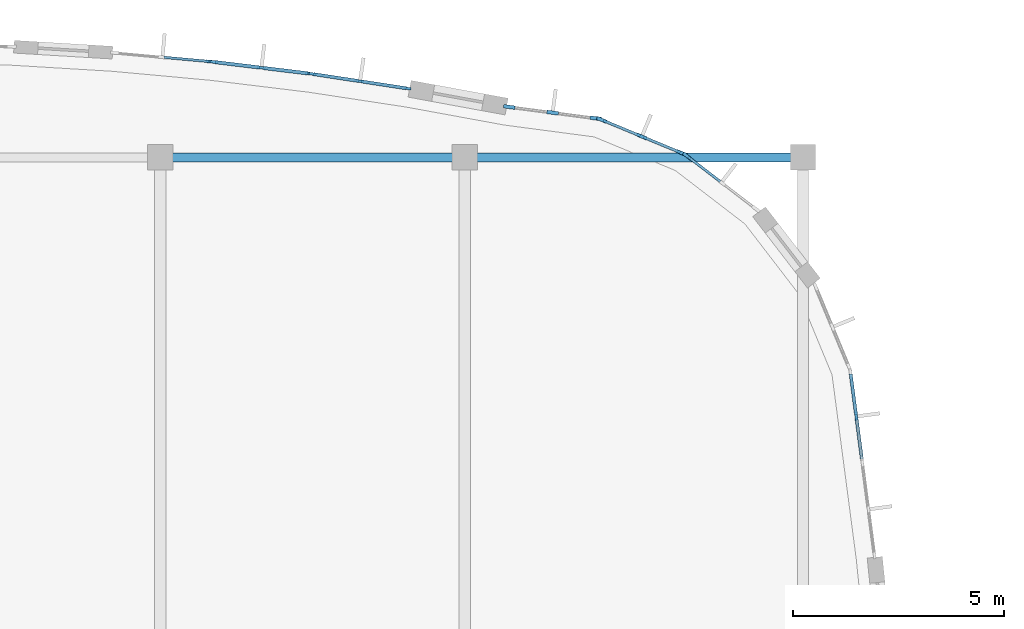
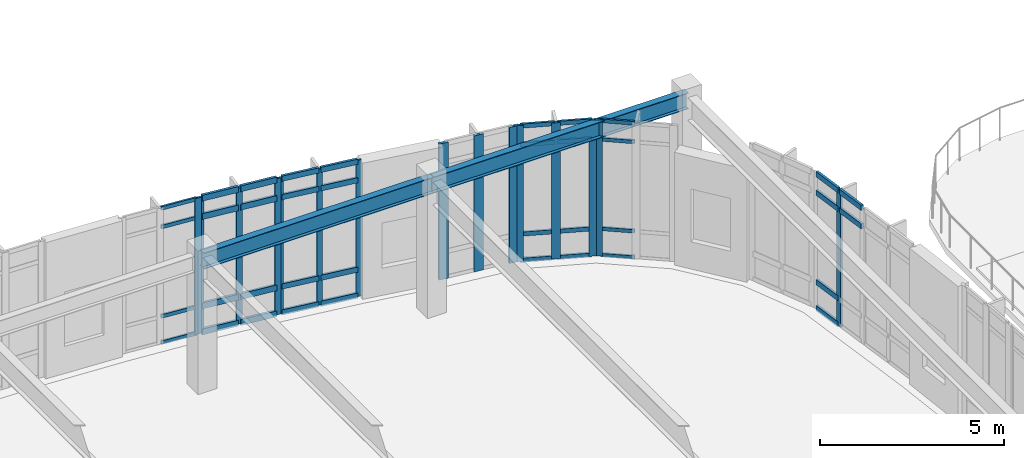
# One storey, part 49 of 120: 53 members, 2 beams, 7 elements without a shape of their own.
"""IFC4 building model written with IfcOpenShell, lengths in metres."""

from ifc_helpers import new_model, si_unit, direction, frame, origin, origin_2d, place, context, subcontext, project, spatial, rectangle, i_section, extrude, material, material_profile, profile_set, type_object, element, aggregate, save


model = new_model("IFC4")

# Units and contexts
model_context = context("Model", 3, precision=1e-05, world=origin(), true_north=direction((0.0, 1.0)))
body_context = subcontext(model_context, "Body", "Model", "MODEL_VIEW")
ifc_project = project(units=[si_unit("LENGTHUNIT", "METRE"), si_unit("AREAUNIT", "SQUARE_METRE"), si_unit("VOLUMEUNIT", "CUBIC_METRE"), si_unit("PLANEANGLEUNIT", "RADIAN"), si_unit("MASSUNIT", "GRAM", prefix="KILO")], contexts=[model_context])

# Site, building, storey
site_placement = place(None, origin())
site = spatial("IfcSite", under=ifc_project, at=site_placement, CompositionType="ELEMENT")
building_placement = place(site_placement, origin())
building = spatial("IfcBuilding", under=site, at=building_placement, Name="Corveleigh Park Community Centre", CompositionType="ELEMENT")
storey_placement = place(building_placement, origin())
storey = spatial("IfcBuildingStorey", under=building, at=storey_placement, Name="L00", CompositionType="ELEMENT", Elevation=0.0)

# Beams
ifc_material_1 = material(Name="Steel S355", Category="steel")
ifc_material_profile_1 = material_profile(ifc_material_1, i_section(OverallWidth=0.2099609375, OverallDepth=0.53662109375, WebThickness=0.0107421875, FlangeThickness=0.017333984375, at=origin_2d()), Name="UKB 533x210x101", Category="steel")
ifc_profile_set_1 = profile_set([ifc_material_profile_1], Name="Steel S355")
beam_type = type_object("IfcBeamType", Name="BM-STL-UKB533x101", PredefinedType="BEAM", material=ifc_profile_set_1)
beam_1_placement = place(storey_placement, frame((39.205078125, 114.39990234375, 4.24365234375), z_axis=(1.0, 0.0, 0.0), x_axis=(0.0, 1.0, 0.0)))
element("IfcBeam", 1, at=beam_1_placement, inside=storey, type_object=beam_type, Name="V2 North Hall Girder", PredefinedType="BEAM", context=body_context, shape_type="SweptSolid", body=[
    extrude(i_section(OverallWidth=0.2099609375, OverallDepth=0.53662109375, WebThickness=0.0107421875, FlangeThickness=0.017333984375, at=origin_2d()), origin(), (0.0, 0.0, 1.0), 7.18994140625),
])
beam_2_placement = place(storey_placement, frame((46.405029296875, 114.39990234375, 4.24365234375), z_axis=(1.0, 0.0, 0.0), x_axis=(0.0, 1.0, 0.0)))
element("IfcBeam", 2, at=beam_2_placement, inside=storey, type_object=beam_type, Name="V2 North Hall Girder", PredefinedType="BEAM", context=body_context, shape_type="SweptSolid", body=[
    extrude(i_section(OverallWidth=0.2099609375, OverallDepth=0.53662109375, WebThickness=0.0107421875, FlangeThickness=0.017333984375, at=origin_2d()), origin(), (0.0, 0.0, 1.0), 7.989990234375),
])

# Curtain wall, members
ifc_material_2 = material(Name="Anodised aluminium 6063-T6", Category="aluminium")
curtain_wall_type = type_object("IfcCurtainWallType", Name="CW-SYS-V2-L00", PredefinedType="NOTDEFINED", material=ifc_material_2)
curtain_wall_1_placement = place(storey_placement, origin())
curtain_wall_1 = element("IfcCurtainWall", 3, at=curtain_wall_1_placement, inside=storey, type_object=curtain_wall_type, Name="V2 L00 Curtain Wall 49", PredefinedType="NOTDEFINED")
ifc_material_profile_2 = material_profile(ifc_material_2, rectangle(XDim=0.06005859375, YDim=0.159912109375, at=origin_2d()), Name="ALU-M60x160", Category="aluminium")
ifc_profile_set_2 = profile_set([ifc_material_profile_2], Name="Anodised aluminium 6063-T6")
member_type_1 = type_object("IfcMemberType", Name="CWM-60x160", PredefinedType="MULLION", material=ifc_profile_set_2)
member_1_placement = place(storey_placement, frame((42.797607421875, 116.37353515625, 0.0), z_axis=(0.0, 0.0, 1.0), x_axis=(0.150769611128, 0.988568927471, 0.0)))
member_1 = element("IfcMember", 4, at=member_1_placement, type_object=member_type_1, Name="CW03 mullion 1", PredefinedType="MULLION", context=body_context, shape_type="SweptSolid", body=[
    extrude(rectangle(XDim=0.06005859375, YDim=0.159912109375, at=origin_2d()), origin(), (0.0, 0.0, 1.0), 4.511962890625),
])
member_2_placement = place(storey_placement, frame((43.922119140625, 116.201904296875, 0.0), z_axis=(0.0, 0.0, 1.0), x_axis=(0.150769611128, 0.988568927471, 0.0)))
member_2 = element("IfcMember", 5, at=member_2_placement, type_object=member_type_1, Name="CW03 mullion 2", PredefinedType="MULLION", context=body_context, shape_type="SweptSolid", body=[
    extrude(rectangle(XDim=0.06005859375, YDim=0.159912109375, at=origin_2d()), origin(), (0.0, 0.0, 1.0), 4.511962890625),
])
member_3_placement = place(storey_placement, frame((45.04638671875, 116.030517578125, 0.0), z_axis=(0.0, 0.0, 1.0), x_axis=(0.150769611128, 0.988568927471, 0.0)))
member_3 = element("IfcMember", 6, at=member_3_placement, type_object=member_type_1, Name="CW03 mullion 3", PredefinedType="MULLION", context=body_context, shape_type="SweptSolid", body=[
    extrude(rectangle(XDim=0.06005859375, YDim=0.159912109375, at=origin_2d()), origin(), (0.0, 0.0, 1.0), 4.511962890625),
])

# Curtain wall, member
curtain_wall_2_placement = place(storey_placement, origin())
curtain_wall_2 = element("IfcCurtainWall", 7, at=curtain_wall_2_placement, inside=storey, type_object=curtain_wall_type, Name="V2 L00 Curtain Wall 44", PredefinedType="NOTDEFINED")
ifc_material_profile_3 = material_profile(ifc_material_2, rectangle(XDim=0.06494140625, YDim=0.179931640625, at=origin_2d()), Name="ALU-M65x180", Category="aluminium")
ifc_profile_set_3 = profile_set([ifc_material_profile_3], Name="Anodised aluminium 6063-T6")
member_type_2 = type_object("IfcMemberType", Name="CWM-65x180", PredefinedType="MULLION", material=ifc_profile_set_3)
member_4_placement = place(storey_placement, frame((55.658447265625, 108.27392578125, 0.0), z_axis=(0.0, 0.0, 1.0), x_axis=(0.99145745499, 0.130430498525, 0.0)))
member_4 = element("IfcMember", 8, at=member_4_placement, type_object=member_type_2, Name="CW03 mullion 2", PredefinedType="MULLION", context=body_context, shape_type="SweptSolid", body=[
    extrude(rectangle(XDim=0.06494140625, YDim=0.179931640625, at=origin_2d()), origin(), (0.0, 0.0, 1.0), 4.511962890625),
])

# Curtain wall, members
curtain_wall_3_placement = place(storey_placement, origin())
curtain_wall_3 = element("IfcCurtainWall", 9, at=curtain_wall_3_placement, inside=storey, type_object=curtain_wall_type, Name="V2 L00 Curtain Wall 50", PredefinedType="NOTDEFINED")
member_5_placement = place(storey_placement, frame((40.46337890625, 116.657958984375, 0.0), z_axis=(0.0, 0.0, 1.0), x_axis=(0.120714875524, 0.992687221046, 0.0)))
member_5 = element("IfcMember", 10, at=member_5_placement, type_object=member_type_2, Name="CW03 mullion 1", PredefinedType="MULLION", context=body_context, shape_type="SweptSolid", body=[
    extrude(rectangle(XDim=0.06494140625, YDim=0.179931640625, at=origin_2d()), origin(), (0.0, 0.0, 1.0), 4.511962890625),
])
member_6_placement = place(storey_placement, frame((41.590576171875, 116.52099609375, 0.0), z_axis=(0.0, 0.0, 1.0), x_axis=(0.120714875524, 0.992687221046, 0.0)))
member_6 = element("IfcMember", 11, at=member_6_placement, type_object=member_type_2, Name="CW03 mullion 2", PredefinedType="MULLION", context=body_context, shape_type="SweptSolid", body=[
    extrude(rectangle(XDim=0.06494140625, YDim=0.179931640625, at=origin_2d()), origin(), (0.0, 0.0, 1.0), 4.511962890625),
])
member_7_placement = place(storey_placement, frame((42.7177734375, 116.384033203125, 0.0), z_axis=(0.0, 0.0, 1.0), x_axis=(0.120714875524, 0.992687221046, 0.0)))
member_7 = element("IfcMember", 12, at=member_7_placement, type_object=member_type_2, Name="CW03 mullion 3", PredefinedType="MULLION", context=body_context, shape_type="SweptSolid", body=[
    extrude(rectangle(XDim=0.06494140625, YDim=0.179931640625, at=origin_2d()), origin(), (0.0, 0.0, 1.0), 4.511962890625),
])

# Curtain wall, member
curtain_wall_4_placement = place(storey_placement, origin())
curtain_wall_4 = element("IfcCurtainWall", 13, at=curtain_wall_4_placement, inside=storey, type_object=curtain_wall_type, Name="V2 L00 Curtain Wall 51", PredefinedType="NOTDEFINED")
ifc_material_profile_4 = material_profile(ifc_material_2, rectangle(XDim=0.070068359375, YDim=0.199951171875, at=origin_2d()), Name="ALU-M70x200", Category="aluminium")
ifc_profile_set_4 = profile_set([ifc_material_profile_4], Name="Anodised aluminium 6063-T6")
member_type_3 = type_object("IfcMemberType", Name="CWM-70x200", PredefinedType="MULLION", material=ifc_profile_set_4)
member_8_placement = place(storey_placement, frame((40.378173828125, 116.667236328125, 0.0), z_axis=(0.0, 0.0, 1.0), x_axis=(0.090767364607, 0.995872123077, 0.0)))
member_8 = element("IfcMember", 14, at=member_8_placement, type_object=member_type_3, Name="CW03 mullion 3", PredefinedType="MULLION", context=body_context, shape_type="SweptSolid", body=[
    extrude(rectangle(XDim=0.070068359375, YDim=0.199951171875, at=origin_2d()), origin(), (0.0, 0.0, 1.0), 4.511962890625),
])

curtain_wall_5_placement = place(storey_placement, origin())
curtain_wall_5 = element("IfcCurtainWall", 15, at=curtain_wall_5_placement, inside=storey, type_object=curtain_wall_type, Name="V2 L00 Curtain Wall 46", PredefinedType="NOTDEFINED")
ifc_material_profile_5 = material_profile(ifc_material_2, rectangle(XDim=0.074951171875, YDim=0.219970703125, at=origin_2d()), Name="ALU-M75x220", Category="aluminium")
ifc_profile_set_5 = profile_set([ifc_material_profile_5], Name="Anodised aluminium 6063-T6")
member_type_4 = type_object("IfcMemberType", Name="CWM-75x220", PredefinedType="MULLION", material=ifc_profile_set_5)
member_9_placement = place(storey_placement, frame((51.65478515625, 114.43310546875, 0.0), z_axis=(0.0, 0.0, 1.0), x_axis=(0.608825655317, 0.793304053581, 0.0)))
member_9 = element("IfcMember", 16, at=member_9_placement, type_object=member_type_4, Name="CW03 mullion 1", PredefinedType="MULLION", context=body_context, shape_type="SweptSolid", body=[
    extrude(rectangle(XDim=0.074951171875, YDim=0.219970703125, at=origin_2d()), origin(), (0.0, 0.0, 1.0), 4.511962890625),
])

# Curtain wall, members
curtain_wall_6_placement = place(storey_placement, origin())
curtain_wall_6 = element("IfcCurtainWall", 17, at=curtain_wall_6_placement, inside=storey, type_object=curtain_wall_type, Name="V2 L00 Curtain Wall 47", PredefinedType="NOTDEFINED")
ifc_material_profile_6 = material_profile(ifc_material_2, rectangle(XDim=0.080078125, YDim=0.25, at=origin_2d()), Name="ALU-M80x250", Category="aluminium")
ifc_profile_set_6 = profile_set([ifc_material_profile_6], Name="Anodised aluminium 6063-T6")
member_type_5 = type_object("IfcMemberType", Name="CWM-80x250", PredefinedType="MULLION", material=ifc_profile_set_6)
member_10_placement = place(storey_placement, frame((49.640869140625, 115.28662109375, 0.0), z_axis=(0.0, 0.0, 1.0), x_axis=(0.382946568059, 0.923770494231, 0.0)))
member_10 = element("IfcMember", 18, at=member_10_placement, type_object=member_type_5, Name="CW03 mullion 1", PredefinedType="MULLION", context=body_context, shape_type="SweptSolid", body=[
    extrude(rectangle(XDim=0.080078125, YDim=0.25, at=origin_2d()), origin(), (0.0, 0.0, 1.0), 4.511962890625),
])
member_11_placement = place(storey_placement, frame((50.5869140625, 114.89453125, 0.0), z_axis=(0.0, 0.0, 1.0), x_axis=(0.382946568059, 0.923770494231, 0.0)))
member_11 = element("IfcMember", 19, at=member_11_placement, type_object=member_type_5, Name="CW03 mullion 2", PredefinedType="MULLION", context=body_context, shape_type="SweptSolid", body=[
    extrude(rectangle(XDim=0.080078125, YDim=0.25, at=origin_2d()), origin(), (0.0, 0.0, 1.0), 4.511962890625),
])
member_12_placement = place(storey_placement, frame((51.532958984375, 114.502197265625, 0.0), z_axis=(0.0, 0.0, 1.0), x_axis=(0.382946568059, 0.923770494231, 0.0)))
member_12 = element("IfcMember", 20, at=member_12_placement, type_object=member_type_5, Name="CW03 mullion 3", PredefinedType="MULLION", context=body_context, shape_type="SweptSolid", body=[
    extrude(rectangle(XDim=0.080078125, YDim=0.25, at=origin_2d()), origin(), (0.0, 0.0, 1.0), 4.511962890625),
])

curtain_wall_7_placement = place(storey_placement, origin())
curtain_wall_7 = element("IfcCurtainWall", 21, at=curtain_wall_7_placement, inside=storey, type_object=curtain_wall_type, Name="V2 L00 Curtain Wall 48", PredefinedType="NOTDEFINED")
ifc_material_profile_7 = material_profile(ifc_material_2, rectangle(XDim=0.0849609375, YDim=0.27490234375, at=origin_2d()), Name="ALU-M85x275", Category="aluminium")
ifc_profile_set_7 = profile_set([ifc_material_profile_7], Name="Anodised aluminium 6063-T6")
member_type_6 = type_object("IfcMemberType", Name="CWM-85x275", PredefinedType="MULLION", material=ifc_profile_set_7)
member_13_placement = place(storey_placement, frame((47.453125, 115.593505859375, 0.0), z_axis=(0.0, 0.0, 1.0), x_axis=(0.130731305458, 0.991417836118, 0.0)))
member_13 = element("IfcMember", 22, at=member_13_placement, type_object=member_type_6, Name="CW03 mullion 1", PredefinedType="MULLION", context=body_context, shape_type="SweptSolid", body=[
    extrude(rectangle(XDim=0.0849609375, YDim=0.27490234375, at=origin_2d()), origin(), (0.0, 0.0, 1.0), 4.511962890625),
])
member_14_placement = place(storey_placement, frame((48.4765625, 115.45849609375, 0.0), z_axis=(0.0, 0.0, 1.0), x_axis=(0.130731305458, 0.991417836118, 0.0)))
member_14 = element("IfcMember", 23, at=member_14_placement, type_object=member_type_6, Name="CW03 mullion 2", PredefinedType="MULLION", context=body_context, shape_type="SweptSolid", body=[
    extrude(rectangle(XDim=0.0849609375, YDim=0.27490234375, at=origin_2d()), origin(), (0.0, 0.0, 1.0), 4.511962890625),
])
member_15_placement = place(storey_placement, frame((49.499755859375, 115.323486328125, 0.0), z_axis=(0.0, 0.0, 1.0), x_axis=(0.130731305458, 0.991417836118, 0.0)))
member_15 = element("IfcMember", 24, at=member_15_placement, type_object=member_type_6, Name="CW03 mullion 3", PredefinedType="MULLION", context=body_context, shape_type="SweptSolid", body=[
    extrude(rectangle(XDim=0.0849609375, YDim=0.27490234375, at=origin_2d()), origin(), (0.0, 0.0, 1.0), 4.511962890625),
])
aggregate(curtain_wall_7, [member_13, member_14, member_15])

# Member
ifc_material_profile_8 = material_profile(ifc_material_2, rectangle(XDim=0.06005859375, YDim=0.1201171875, at=origin_2d()), Name="ALU-T60x120", Category="aluminium")
ifc_profile_set_8 = profile_set([ifc_material_profile_8], Name="Anodised aluminium 6063-T6")
member_type_7 = type_object("IfcMemberType", Name="CWT-60x120", PredefinedType="USERDEFINED", material=ifc_profile_set_8)
member_16_placement = place(storey_placement, frame((51.6845703125, 114.410400390625, 0.030029296875), z_axis=(0.793214320288, -0.608942560583, 0.0), x_axis=(0.608942560583, 0.793214320288, 0.0)))
member_16 = element("IfcMember", 25, at=member_16_placement, type_object=member_type_7, Name="CW03 transom 1.1", ObjectType="TRANSOM", PredefinedType="USERDEFINED", context=body_context, shape_type="SweptSolid", body=[
    extrude(rectangle(XDim=0.06005859375, YDim=0.1201171875, at=origin_2d()), origin(), (0.0, 0.0, 1.0), 0.95263671875),
])

member_17_placement = place(storey_placement, frame((51.6845703125, 114.410400390625, 0.89990234375), z_axis=(0.793214320288, -0.608942560583, 0.0), x_axis=(0.608942560583, 0.793214320288, 0.0)))
member_17 = element("IfcMember", 26, at=member_17_placement, type_object=member_type_7, Name="CW03 transom 1.2", ObjectType="TRANSOM", PredefinedType="USERDEFINED", context=body_context, shape_type="SweptSolid", body=[
    extrude(rectangle(XDim=0.06005859375, YDim=0.1201171875, at=origin_2d()), origin(), (0.0, 0.0, 1.0), 0.95263671875),
])

member_18_placement = place(storey_placement, frame((51.6845703125, 114.410400390625, 3.862060546875), z_axis=(0.793214320288, -0.608942560583, 0.0), x_axis=(0.608942560583, 0.793214320288, 0.0)))
member_18 = element("IfcMember", 27, at=member_18_placement, type_object=member_type_7, Name="CW03 transom 1.3", ObjectType="TRANSOM", PredefinedType="USERDEFINED", context=body_context, shape_type="SweptSolid", body=[
    extrude(rectangle(XDim=0.06005859375, YDim=0.1201171875, at=origin_2d()), origin(), (0.0, 0.0, 1.0), 0.95263671875),
])

member_19_placement = place(storey_placement, frame((51.6845703125, 114.410400390625, 4.48193359375), z_axis=(0.793214320288, -0.608942560583, 0.0), x_axis=(0.608942560583, 0.793214320288, 0.0)))
member_19 = element("IfcMember", 28, at=member_19_placement, type_object=member_type_7, Name="CW03 transom 1.4", ObjectType="TRANSOM", PredefinedType="USERDEFINED", context=body_context, shape_type="SweptSolid", body=[
    extrude(rectangle(XDim=0.06005859375, YDim=0.1201171875, at=origin_2d()), origin(), (0.0, 0.0, 1.0), 0.95263671875),
])

aggregate(curtain_wall_5, [member_9, member_16, member_17, member_18, member_19])

member_20_placement = place(storey_placement, frame((39.284912109375, 116.766845703125, 0.030029296875), z_axis=(0.995874354698, -0.09074287661, 0.0), x_axis=(0.09074287661, 0.995874354698, 0.0)))
member_20 = element("IfcMember", 29, at=member_20_placement, type_object=member_type_7, Name="CW03 transom 2.1", ObjectType="TRANSOM", PredefinedType="USERDEFINED", context=body_context, shape_type="SweptSolid", body=[
    extrude(rectangle(XDim=0.06005859375, YDim=0.1201171875, at=origin_2d()), origin(), (0.0, 0.0, 1.0), 1.062744140625),
])

member_21_placement = place(storey_placement, frame((39.284912109375, 116.766845703125, 0.89990234375), z_axis=(0.995874354698, -0.09074287661, 0.0), x_axis=(0.09074287661, 0.995874354698, 0.0)))
member_21 = element("IfcMember", 30, at=member_21_placement, type_object=member_type_7, Name="CW03 transom 2.2", ObjectType="TRANSOM", PredefinedType="USERDEFINED", context=body_context, shape_type="SweptSolid", body=[
    extrude(rectangle(XDim=0.06005859375, YDim=0.1201171875, at=origin_2d()), origin(), (0.0, 0.0, 1.0), 1.062744140625),
])

member_22_placement = place(storey_placement, frame((39.284912109375, 116.766845703125, 3.862060546875), z_axis=(0.995874354698, -0.09074287661, 0.0), x_axis=(0.09074287661, 0.995874354698, 0.0)))
member_22 = element("IfcMember", 31, at=member_22_placement, type_object=member_type_7, Name="CW03 transom 2.3", ObjectType="TRANSOM", PredefinedType="USERDEFINED", context=body_context, shape_type="SweptSolid", body=[
    extrude(rectangle(XDim=0.06005859375, YDim=0.1201171875, at=origin_2d()), origin(), (0.0, 0.0, 1.0), 1.062744140625),
])

member_23_placement = place(storey_placement, frame((39.284912109375, 116.766845703125, 4.48193359375), z_axis=(0.995874354698, -0.09074287661, 0.0), x_axis=(0.09074287661, 0.995874354698, 0.0)))
member_23 = element("IfcMember", 32, at=member_23_placement, type_object=member_type_7, Name="CW03 transom 2.4", ObjectType="TRANSOM", PredefinedType="USERDEFINED", context=body_context, shape_type="SweptSolid", body=[
    extrude(rectangle(XDim=0.06005859375, YDim=0.1201171875, at=origin_2d()), origin(), (0.0, 0.0, 1.0), 1.062744140625),
])

aggregate(curtain_wall_4, [member_8, member_20, member_21, member_22, member_23])

ifc_material_profile_9 = material_profile(ifc_material_2, rectangle(XDim=0.06494140625, YDim=0.139892578125, at=origin_2d()), Name="ALU-T65x140", Category="aluminium")
ifc_profile_set_9 = profile_set([ifc_material_profile_9], Name="Anodised aluminium 6063-T6")
member_type_8 = type_object("IfcMemberType", Name="CWT-65x140", PredefinedType="USERDEFINED", material=ifc_profile_set_9)
member_24_placement = place(storey_placement, frame((49.677978515625, 115.271484375, 0.032470703125), z_axis=(0.923748808366, -0.382998876033, 0.0), x_axis=(0.382998876033, 0.923748808366, 0.0)))
member_24 = element("IfcMember", 33, at=member_24_placement, type_object=member_type_8, Name="CW03 transom 1.1", ObjectType="TRANSOM", PredefinedType="USERDEFINED", context=body_context, shape_type="SweptSolid", body=[
    extrude(rectangle(XDim=0.06494140625, YDim=0.139892578125, at=origin_2d()), origin(), (0.0, 0.0, 1.0), 0.944091796875),
])

member_25_placement = place(storey_placement, frame((49.677978515625, 115.271484375, 0.89990234375), z_axis=(0.923748808366, -0.382998876033, 0.0), x_axis=(0.382998876033, 0.923748808366, 0.0)))
member_25 = element("IfcMember", 34, at=member_25_placement, type_object=member_type_8, Name="CW03 transom 1.2", ObjectType="TRANSOM", PredefinedType="USERDEFINED", context=body_context, shape_type="SweptSolid", body=[
    extrude(rectangle(XDim=0.06494140625, YDim=0.139892578125, at=origin_2d()), origin(), (0.0, 0.0, 1.0), 0.944091796875),
])

member_26_placement = place(storey_placement, frame((49.677978515625, 115.271484375, 3.862060546875), z_axis=(0.923748808366, -0.382998876033, 0.0), x_axis=(0.382998876033, 0.923748808366, 0.0)))
member_26 = element("IfcMember", 35, at=member_26_placement, type_object=member_type_8, Name="CW03 transom 1.3", ObjectType="TRANSOM", PredefinedType="USERDEFINED", context=body_context, shape_type="SweptSolid", body=[
    extrude(rectangle(XDim=0.06494140625, YDim=0.139892578125, at=origin_2d()), origin(), (0.0, 0.0, 1.0), 0.944091796875),
])

member_27_placement = place(storey_placement, frame((49.677978515625, 115.271484375, 4.4794921875), z_axis=(0.923748808366, -0.382998876033, 0.0), x_axis=(0.382998876033, 0.923748808366, 0.0)))
member_27 = element("IfcMember", 36, at=member_27_placement, type_object=member_type_8, Name="CW03 transom 1.4", ObjectType="TRANSOM", PredefinedType="USERDEFINED", context=body_context, shape_type="SweptSolid", body=[
    extrude(rectangle(XDim=0.06494140625, YDim=0.139892578125, at=origin_2d()), origin(), (0.0, 0.0, 1.0), 0.944091796875),
])

member_28_placement = place(storey_placement, frame((50.6240234375, 114.879150390625, 0.032470703125), z_axis=(0.923748808366, -0.382998876033, 0.0), x_axis=(0.382998876033, 0.923748808366, 0.0)))
member_28 = element("IfcMember", 37, at=member_28_placement, type_object=member_type_8, Name="CW03 transom 2.1", ObjectType="TRANSOM", PredefinedType="USERDEFINED", context=body_context, shape_type="SweptSolid", body=[
    extrude(rectangle(XDim=0.06494140625, YDim=0.139892578125, at=origin_2d()), origin(), (0.0, 0.0, 1.0), 0.944091796875),
])

member_29_placement = place(storey_placement, frame((50.6240234375, 114.879150390625, 0.89990234375), z_axis=(0.923748808366, -0.382998876033, 0.0), x_axis=(0.382998876033, 0.923748808366, 0.0)))
member_29 = element("IfcMember", 38, at=member_29_placement, type_object=member_type_8, Name="CW03 transom 2.2", ObjectType="TRANSOM", PredefinedType="USERDEFINED", context=body_context, shape_type="SweptSolid", body=[
    extrude(rectangle(XDim=0.06494140625, YDim=0.139892578125, at=origin_2d()), origin(), (0.0, 0.0, 1.0), 0.944091796875),
])

member_30_placement = place(storey_placement, frame((50.6240234375, 114.879150390625, 3.862060546875), z_axis=(0.923748808366, -0.382998876033, 0.0), x_axis=(0.382998876033, 0.923748808366, 0.0)))
member_30 = element("IfcMember", 39, at=member_30_placement, type_object=member_type_8, Name="CW03 transom 2.3", ObjectType="TRANSOM", PredefinedType="USERDEFINED", context=body_context, shape_type="SweptSolid", body=[
    extrude(rectangle(XDim=0.06494140625, YDim=0.139892578125, at=origin_2d()), origin(), (0.0, 0.0, 1.0), 0.944091796875),
])

member_31_placement = place(storey_placement, frame((50.6240234375, 114.879150390625, 4.4794921875), z_axis=(0.923748808366, -0.382998876033, 0.0), x_axis=(0.382998876033, 0.923748808366, 0.0)))
member_31 = element("IfcMember", 40, at=member_31_placement, type_object=member_type_8, Name="CW03 transom 2.4", ObjectType="TRANSOM", PredefinedType="USERDEFINED", context=body_context, shape_type="SweptSolid", body=[
    extrude(rectangle(XDim=0.06494140625, YDim=0.139892578125, at=origin_2d()), origin(), (0.0, 0.0, 1.0), 0.944091796875),
])

aggregate(curtain_wall_6, [member_10, member_11, member_12, member_24, member_25, member_26, member_27, member_28, member_29, member_30, member_31])

ifc_material_profile_10 = material_profile(ifc_material_2, rectangle(XDim=0.074951171875, YDim=0.175048828125, at=origin_2d()), Name="ALU-T75x175", Category="aluminium")
ifc_profile_set_10 = profile_set([ifc_material_profile_10], Name="Anodised aluminium 6063-T6")
member_type_9 = type_object("IfcMemberType", Name="CWT-75x175", PredefinedType="USERDEFINED", material=ifc_profile_set_10)
member_32_placement = place(storey_placement, frame((55.5263671875, 109.277587890625, 0.03759765625), z_axis=(0.130564084677, -0.991439872001, 0.0), x_axis=(0.991439872001, 0.130564084677, 0.0)))
member_32 = element("IfcMember", 41, at=member_32_placement, type_object=member_type_9, Name="CW03 transom 1.1", ObjectType="TRANSOM", PredefinedType="USERDEFINED", context=body_context, shape_type="SweptSolid", body=[
    extrude(rectangle(XDim=0.074951171875, YDim=0.175048828125, at=origin_2d()), origin(), (0.0, 0.0, 1.0), 0.979736328125),
])

member_33_placement = place(storey_placement, frame((55.5263671875, 109.277587890625, 0.89990234375), z_axis=(0.130564084677, -0.991439872001, 0.0), x_axis=(0.991439872001, 0.130564084677, 0.0)))
member_33 = element("IfcMember", 42, at=member_33_placement, type_object=member_type_9, Name="CW03 transom 1.2", ObjectType="TRANSOM", PredefinedType="USERDEFINED", context=body_context, shape_type="SweptSolid", body=[
    extrude(rectangle(XDim=0.074951171875, YDim=0.175048828125, at=origin_2d()), origin(), (0.0, 0.0, 1.0), 0.979736328125),
])

member_34_placement = place(storey_placement, frame((55.5263671875, 109.277587890625, 3.862060546875), z_axis=(0.130564084677, -0.991439872001, 0.0), x_axis=(0.991439872001, 0.130564084677, 0.0)))
member_34 = element("IfcMember", 43, at=member_34_placement, type_object=member_type_9, Name="CW03 transom 1.3", ObjectType="TRANSOM", PredefinedType="USERDEFINED", context=body_context, shape_type="SweptSolid", body=[
    extrude(rectangle(XDim=0.074951171875, YDim=0.175048828125, at=origin_2d()), origin(), (0.0, 0.0, 1.0), 0.979736328125),
])

member_35_placement = place(storey_placement, frame((55.5263671875, 109.277587890625, 4.474609375), z_axis=(0.130564084677, -0.991439872001, 0.0), x_axis=(0.991439872001, 0.130564084677, 0.0)))
member_35 = element("IfcMember", 44, at=member_35_placement, type_object=member_type_9, Name="CW03 transom 1.4", ObjectType="TRANSOM", PredefinedType="USERDEFINED", context=body_context, shape_type="SweptSolid", body=[
    extrude(rectangle(XDim=0.074951171875, YDim=0.175048828125, at=origin_2d()), origin(), (0.0, 0.0, 1.0), 0.979736328125),
])

member_36_placement = place(storey_placement, frame((55.662841796875, 108.24169921875, 3.862060546875), z_axis=(0.130351355591, -0.99146786337, 0.0), x_axis=(0.99146786337, 0.130351355591, 0.0)))
member_36 = element("IfcMember", 45, at=member_36_placement, type_object=member_type_9, Name="CW03 transom 2.3", ObjectType="TRANSOM", PredefinedType="USERDEFINED", context=body_context, shape_type="SweptSolid", body=[
    extrude(rectangle(XDim=0.074951171875, YDim=0.175048828125, at=origin_2d()), origin(), (0.0, 0.0, 1.0), 0.9794921875),
])

member_37_placement = place(storey_placement, frame((55.662841796875, 108.24169921875, 4.474609375), z_axis=(0.130351355591, -0.99146786337, 0.0), x_axis=(0.99146786337, 0.130351355591, 0.0)))
member_37 = element("IfcMember", 46, at=member_37_placement, type_object=member_type_9, Name="CW03 transom 2.4", ObjectType="TRANSOM", PredefinedType="USERDEFINED", context=body_context, shape_type="SweptSolid", body=[
    extrude(rectangle(XDim=0.074951171875, YDim=0.175048828125, at=origin_2d()), origin(), (0.0, 0.0, 1.0), 0.9794921875),
])

aggregate(curtain_wall_2, [member_4, member_32, member_33, member_34, member_35, member_36, member_37])

member_38_placement = place(storey_placement, frame((42.827392578125, 116.368896484375, 0.03759765625), z_axis=(0.988577765667, -0.150711649282, 0.0), x_axis=(0.150711649282, 0.988577765667, 0.0)))
member_38 = element("IfcMember", 47, at=member_38_placement, type_object=member_type_9, Name="CW03 transom 1.1", ObjectType="TRANSOM", PredefinedType="USERDEFINED", context=body_context, shape_type="SweptSolid", body=[
    extrude(rectangle(XDim=0.074951171875, YDim=0.175048828125, at=origin_2d()), origin(), (0.0, 0.0, 1.0), 1.0771484375),
])

member_39_placement = place(storey_placement, frame((42.827392578125, 116.368896484375, 0.89990234375), z_axis=(0.988577765667, -0.150711649282, 0.0), x_axis=(0.150711649282, 0.988577765667, 0.0)))
member_39 = element("IfcMember", 48, at=member_39_placement, type_object=member_type_9, Name="CW03 transom 1.2", ObjectType="TRANSOM", PredefinedType="USERDEFINED", context=body_context, shape_type="SweptSolid", body=[
    extrude(rectangle(XDim=0.074951171875, YDim=0.175048828125, at=origin_2d()), origin(), (0.0, 0.0, 1.0), 1.0771484375),
])

member_40_placement = place(storey_placement, frame((42.827392578125, 116.368896484375, 3.862060546875), z_axis=(0.988577765667, -0.150711649282, 0.0), x_axis=(0.150711649282, 0.988577765667, 0.0)))
member_40 = element("IfcMember", 49, at=member_40_placement, type_object=member_type_9, Name="CW03 transom 1.3", ObjectType="TRANSOM", PredefinedType="USERDEFINED", context=body_context, shape_type="SweptSolid", body=[
    extrude(rectangle(XDim=0.074951171875, YDim=0.175048828125, at=origin_2d()), origin(), (0.0, 0.0, 1.0), 1.0771484375),
])

member_41_placement = place(storey_placement, frame((42.827392578125, 116.368896484375, 4.474609375), z_axis=(0.988577765667, -0.150711649282, 0.0), x_axis=(0.150711649282, 0.988577765667, 0.0)))
member_41 = element("IfcMember", 50, at=member_41_placement, type_object=member_type_9, Name="CW03 transom 1.4", ObjectType="TRANSOM", PredefinedType="USERDEFINED", context=body_context, shape_type="SweptSolid", body=[
    extrude(rectangle(XDim=0.074951171875, YDim=0.175048828125, at=origin_2d()), origin(), (0.0, 0.0, 1.0), 1.0771484375),
])

member_42_placement = place(storey_placement, frame((43.95166015625, 116.197509765625, 0.03759765625), z_axis=(0.988577765667, -0.150711649282, 0.0), x_axis=(0.150711649282, 0.988577765667, 0.0)))
member_42 = element("IfcMember", 51, at=member_42_placement, type_object=member_type_9, Name="CW03 transom 2.1", ObjectType="TRANSOM", PredefinedType="USERDEFINED", context=body_context, shape_type="SweptSolid", body=[
    extrude(rectangle(XDim=0.074951171875, YDim=0.175048828125, at=origin_2d()), origin(), (0.0, 0.0, 1.0), 1.0771484375),
])

member_43_placement = place(storey_placement, frame((43.95166015625, 116.197509765625, 0.89990234375), z_axis=(0.988577765667, -0.150711649282, 0.0), x_axis=(0.150711649282, 0.988577765667, 0.0)))
member_43 = element("IfcMember", 52, at=member_43_placement, type_object=member_type_9, Name="CW03 transom 2.2", ObjectType="TRANSOM", PredefinedType="USERDEFINED", context=body_context, shape_type="SweptSolid", body=[
    extrude(rectangle(XDim=0.074951171875, YDim=0.175048828125, at=origin_2d()), origin(), (0.0, 0.0, 1.0), 1.0771484375),
])

member_44_placement = place(storey_placement, frame((43.95166015625, 116.197509765625, 3.862060546875), z_axis=(0.988577765667, -0.150711649282, 0.0), x_axis=(0.150711649282, 0.988577765667, 0.0)))
member_44 = element("IfcMember", 53, at=member_44_placement, type_object=member_type_9, Name="CW03 transom 2.3", ObjectType="TRANSOM", PredefinedType="USERDEFINED", context=body_context, shape_type="SweptSolid", body=[
    extrude(rectangle(XDim=0.074951171875, YDim=0.175048828125, at=origin_2d()), origin(), (0.0, 0.0, 1.0), 1.0771484375),
])

member_45_placement = place(storey_placement, frame((43.95166015625, 116.197509765625, 4.474609375), z_axis=(0.988577765667, -0.150711649282, 0.0), x_axis=(0.150711649282, 0.988577765667, 0.0)))
member_45 = element("IfcMember", 54, at=member_45_placement, type_object=member_type_9, Name="CW03 transom 2.4", ObjectType="TRANSOM", PredefinedType="USERDEFINED", context=body_context, shape_type="SweptSolid", body=[
    extrude(rectangle(XDim=0.074951171875, YDim=0.175048828125, at=origin_2d()), origin(), (0.0, 0.0, 1.0), 1.0771484375),
])

aggregate(curtain_wall_1, [member_1, member_2, member_3, member_38, member_39, member_40, member_41, member_42, member_43, member_44, member_45])

ifc_material_profile_11 = material_profile(ifc_material_2, rectangle(XDim=0.080078125, YDim=0.195068359375, at=origin_2d()), Name="ALU-T80x195", Category="aluminium")
ifc_profile_set_11 = profile_set([ifc_material_profile_11], Name="Anodised aluminium 6063-T6")
member_type_10 = type_object("IfcMemberType", Name="CWT-80x195", PredefinedType="USERDEFINED", material=ifc_profile_set_11)
member_46_placement = place(storey_placement, frame((40.49560546875, 116.654052734375, 0.0400390625), z_axis=(0.9926965865, -0.120637834656, 0.0), x_axis=(0.120637834656, 0.9926965865, 0.0)))
member_46 = element("IfcMember", 55, at=member_46_placement, type_object=member_type_10, Name="CW03 transom 1.1", ObjectType="TRANSOM", PredefinedType="USERDEFINED", context=body_context, shape_type="SweptSolid", body=[
    extrude(rectangle(XDim=0.080078125, YDim=0.195068359375, at=origin_2d()), origin(), (0.0, 0.0, 1.0), 1.070556640625),
])

member_47_placement = place(storey_placement, frame((40.49560546875, 116.654052734375, 0.89990234375), z_axis=(0.9926965865, -0.120637834656, 0.0), x_axis=(0.120637834656, 0.9926965865, 0.0)))
member_47 = element("IfcMember", 56, at=member_47_placement, type_object=member_type_10, Name="CW03 transom 1.2", ObjectType="TRANSOM", PredefinedType="USERDEFINED", context=body_context, shape_type="SweptSolid", body=[
    extrude(rectangle(XDim=0.080078125, YDim=0.195068359375, at=origin_2d()), origin(), (0.0, 0.0, 1.0), 1.070556640625),
])

member_48_placement = place(storey_placement, frame((40.49560546875, 116.654052734375, 3.862060546875), z_axis=(0.9926965865, -0.120637834656, 0.0), x_axis=(0.120637834656, 0.9926965865, 0.0)))
member_48 = element("IfcMember", 57, at=member_48_placement, type_object=member_type_10, Name="CW03 transom 1.3", ObjectType="TRANSOM", PredefinedType="USERDEFINED", context=body_context, shape_type="SweptSolid", body=[
    extrude(rectangle(XDim=0.080078125, YDim=0.195068359375, at=origin_2d()), origin(), (0.0, 0.0, 1.0), 1.070556640625),
])

member_49_placement = place(storey_placement, frame((40.49560546875, 116.654052734375, 4.471923828125), z_axis=(0.9926965865, -0.120637834656, 0.0), x_axis=(0.120637834656, 0.9926965865, 0.0)))
member_49 = element("IfcMember", 58, at=member_49_placement, type_object=member_type_10, Name="CW03 transom 1.4", ObjectType="TRANSOM", PredefinedType="USERDEFINED", context=body_context, shape_type="SweptSolid", body=[
    extrude(rectangle(XDim=0.080078125, YDim=0.195068359375, at=origin_2d()), origin(), (0.0, 0.0, 1.0), 1.070556640625),
])

member_50_placement = place(storey_placement, frame((41.622802734375, 116.51708984375, 0.0400390625), z_axis=(0.9926965865, -0.120637834656, 0.0), x_axis=(0.120637834656, 0.9926965865, 0.0)))
member_50 = element("IfcMember", 59, at=member_50_placement, type_object=member_type_10, Name="CW03 transom 2.1", ObjectType="TRANSOM", PredefinedType="USERDEFINED", context=body_context, shape_type="SweptSolid", body=[
    extrude(rectangle(XDim=0.080078125, YDim=0.195068359375, at=origin_2d()), origin(), (0.0, 0.0, 1.0), 1.070556640625),
])

member_51_placement = place(storey_placement, frame((41.622802734375, 116.51708984375, 0.89990234375), z_axis=(0.9926965865, -0.120637834656, 0.0), x_axis=(0.120637834656, 0.9926965865, 0.0)))
member_51 = element("IfcMember", 60, at=member_51_placement, type_object=member_type_10, Name="CW03 transom 2.2", ObjectType="TRANSOM", PredefinedType="USERDEFINED", context=body_context, shape_type="SweptSolid", body=[
    extrude(rectangle(XDim=0.080078125, YDim=0.195068359375, at=origin_2d()), origin(), (0.0, 0.0, 1.0), 1.070556640625),
])

member_52_placement = place(storey_placement, frame((41.622802734375, 116.51708984375, 3.862060546875), z_axis=(0.9926965865, -0.120637834656, 0.0), x_axis=(0.120637834656, 0.9926965865, 0.0)))
member_52 = element("IfcMember", 61, at=member_52_placement, type_object=member_type_10, Name="CW03 transom 2.3", ObjectType="TRANSOM", PredefinedType="USERDEFINED", context=body_context, shape_type="SweptSolid", body=[
    extrude(rectangle(XDim=0.080078125, YDim=0.195068359375, at=origin_2d()), origin(), (0.0, 0.0, 1.0), 1.070556640625),
])

member_53_placement = place(storey_placement, frame((41.622802734375, 116.51708984375, 4.471923828125), z_axis=(0.9926965865, -0.120637834656, 0.0), x_axis=(0.120637834656, 0.9926965865, 0.0)))
member_53 = element("IfcMember", 62, at=member_53_placement, type_object=member_type_10, Name="CW03 transom 2.4", ObjectType="TRANSOM", PredefinedType="USERDEFINED", context=body_context, shape_type="SweptSolid", body=[
    extrude(rectangle(XDim=0.080078125, YDim=0.195068359375, at=origin_2d()), origin(), (0.0, 0.0, 1.0), 1.070556640625),
])

aggregate(curtain_wall_3, [member_5, member_6, member_7, member_46, member_47, member_48, member_49, member_50, member_51, member_52, member_53])

save(model, "model.ifc")
